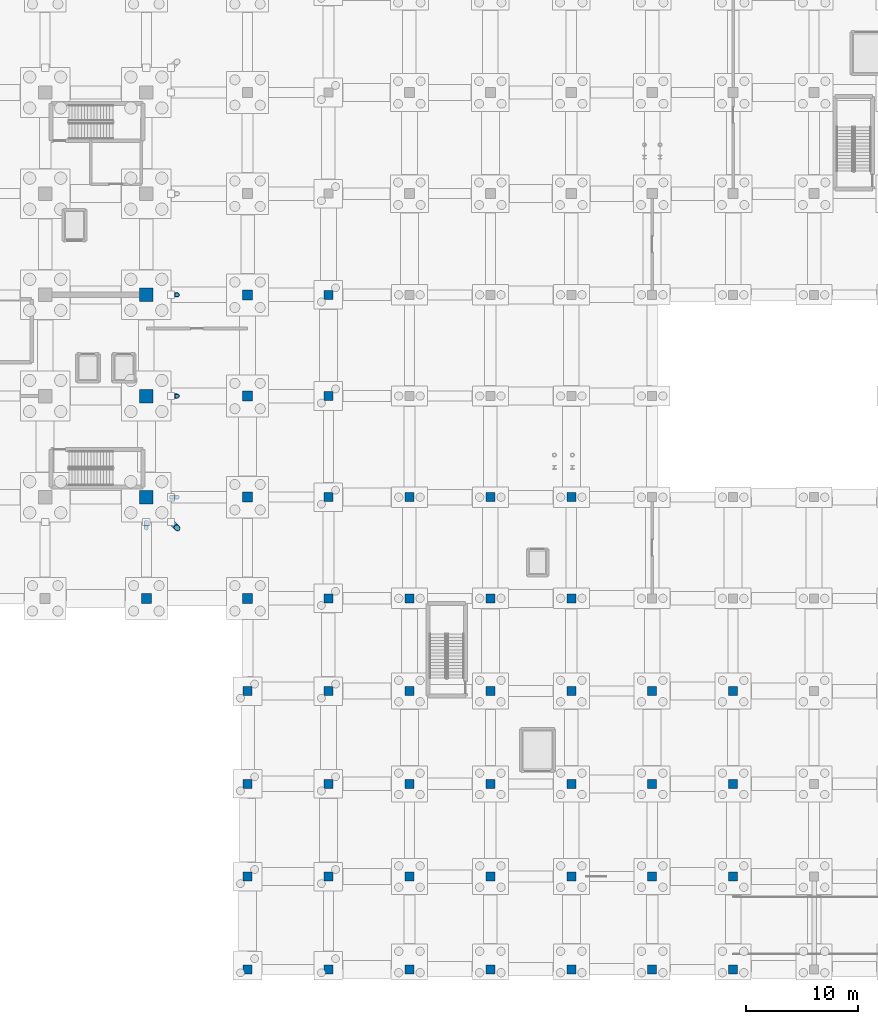
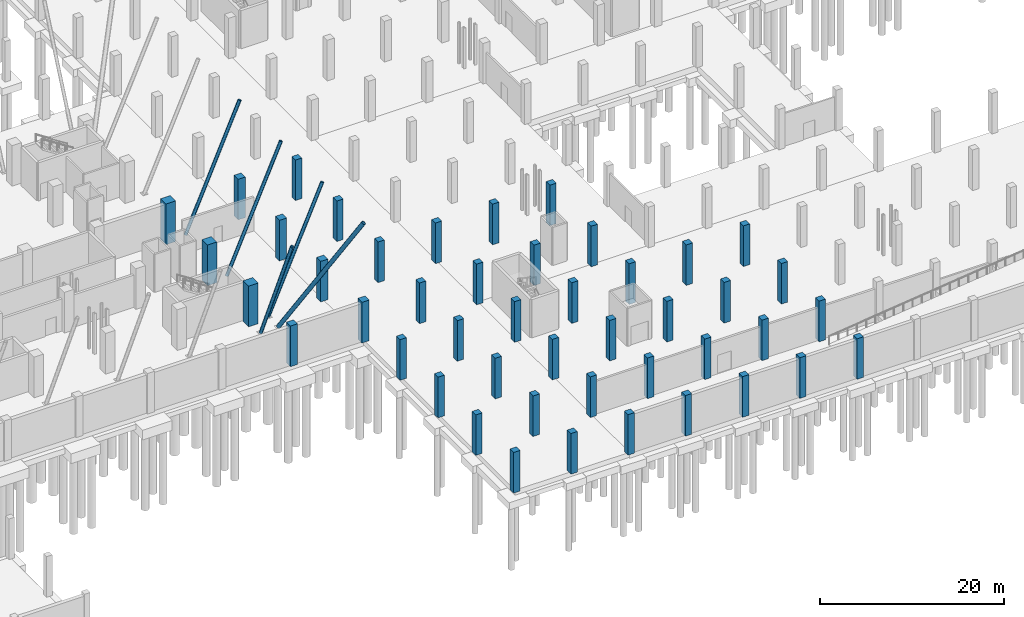
# One storey, part 14 of 42: 51 columns.
"""IFC4 building model written with IfcOpenShell, lengths in metres."""

import ifcopenshell
import ifcopenshell.guid

model = None  # the IFC model being written
_history = None  # IfcOwnerHistory: only IFC2X3 demands one
_inside = {}  # id of a spatial element -> (the spatial element, [elements in it])
_under = {}  # id of a project, library or spatial element -> (it, [spatial elements below it])
_declared = {}  # id of a project -> (the project, [libraries it declares])
_typed = {}  # id of a type object -> (the type object, [elements of that type])
_made_of = {}  # id of a material, layer set ... -> (it, [elements and type objects made of it])


def new_model(schema):
    """Start an empty IFC model of exactly this schema.

    Asked for "IFC4X3", IfcOpenShell would pick the latest addendum, in which some entities
    have other attributes; the version numbers below select the first issue.
    IFC2X3 requires an IfcOwnerHistory on every rooted entity: one is made here for all.
    """
    global model, _history
    if schema == "IFC4X3":
        model = ifcopenshell.file(schema_version=(4, 3, 0, 0))
    else:
        model = ifcopenshell.file(schema=schema)
    _inside.clear()
    _under.clear()
    _declared.clear()
    _typed.clear()
    _made_of.clear()
    _history = None
    if model.schema == "IFC2X3":
        org = make("IfcOrganization", Name="unknown")
        user = make(
            "IfcPersonAndOrganization",
            ThePerson=make("IfcPerson", FamilyName="unknown"),
            TheOrganization=org,
        )
        app = make(
            "IfcApplication",
            ApplicationDeveloper=org,
            Version="unknown",
            ApplicationFullName="unknown",
            ApplicationIdentifier="unknown",
        )
        _history = make(
            "IfcOwnerHistory",
            OwningUser=user,
            OwningApplication=app,
            ChangeAction="ADDED",
            CreationDate=0,
        )
    return model


def make(cls, **values):
    """One entity of the class cls with the attributes given. An attribute that is None is left unset."""
    return model.create_entity(
        cls, **{name: value for name, value in values.items() if value is not None}
    )


def rooted(cls, **values):
    """An entity with a GlobalId (a new one), such as an element, a storey or a relation."""
    return make(cls, GlobalId=ifcopenshell.guid.new(), OwnerHistory=_history, **values)


def si_unit(unit_type, name, prefix=None):
    """IfcSIUnit, for example si_unit("LENGTHUNIT", "METRE", prefix="MILLI")."""
    return make("IfcSIUnit", UnitType=unit_type, Prefix=prefix, Name=name)


def assignment(units):
    """IfcUnitAssignment: the units of a project."""
    return None if units is None else make("IfcUnitAssignment", Units=units)


def point(xyz):
    """IfcCartesianPoint."""
    return None if xyz is None else make("IfcCartesianPoint", Coordinates=xyz)


def direction(xyz):
    """IfcDirection."""
    return None if xyz is None else make("IfcDirection", DirectionRatios=xyz)


def frame(location, z_axis=None, x_axis=None):
    """IfcAxis2Placement3D, a coordinate frame: its origin and axes. An axis left out is left unset."""
    return make(
        "IfcAxis2Placement3D",
        Location=point(location),
        Axis=direction(z_axis),
        RefDirection=direction(x_axis),
    )


def frame_2d(location, x_axis=None):
    """IfcAxis2Placement2D, a coordinate frame in the plane: its origin and x axis."""
    return make(
        "IfcAxis2Placement2D", Location=point(location), RefDirection=direction(x_axis)
    )


def origin():
    """The frame at (0, 0, 0) with its axes left unset."""
    return frame((0.0, 0.0, 0.0))


def origin_2d():
    """The frame at (0, 0) in the plane with its x axis left unset."""
    return frame_2d((0.0, 0.0))


def place(relative_to, where):
    """IfcLocalPlacement: puts the frame where relative to a parent placement (None: the world)."""
    return make(
        "IfcLocalPlacement", PlacementRelTo=relative_to, RelativePlacement=where
    )


def context(
    kind, dimensions, precision=None, world=None, true_north=None, identifier=None
):
    """IfcGeometricRepresentationContext, for example the 3D "Model" context."""
    return make(
        "IfcGeometricRepresentationContext",
        ContextIdentifier=identifier,
        ContextType=kind,
        CoordinateSpaceDimension=dimensions,
        Precision=precision,
        WorldCoordinateSystem=world,
        TrueNorth=true_north,
    )


def subcontext(parent, identifier, kind, view, scale=None):
    """IfcGeometricRepresentationSubContext, for example "Body" below "Model"."""
    return make(
        "IfcGeometricRepresentationSubContext",
        ContextIdentifier=identifier,
        ContextType=kind,
        ParentContext=parent,
        TargetScale=scale,
        TargetView=view,
    )


def project(units=None, contexts=None):
    """IfcProject with its units and contexts."""
    return rooted(
        "IfcProject",
        Name="project",
        RepresentationContexts=contexts,
        UnitsInContext=assignment(units),
    )


def spatial(cls, under=None, at=None, **own):
    """A site, building, storey or space (cls), placed at a placement, below another one or the project."""
    s = rooted(cls, ObjectPlacement=at, **own)
    if under is not None:
        _under.setdefault(under.id(), (under, []))[1].append(s)
    return s


def profile(cls, at=None, kind="AREA", **sizes):
    """A parametric profile (cls). Its sizes go by their IFC names, for example OverallWidth=200.0."""
    return make(cls, ProfileType=kind, Position=at, **sizes)


def rectangle(**sizes):
    """IfcRectangleProfileDef."""
    return profile("IfcRectangleProfileDef", **sizes)


def hollow_circle(**sizes):
    """IfcCircleHollowProfileDef."""
    return profile("IfcCircleHollowProfileDef", **sizes)


def extrude(swept, where, along, depth):
    """IfcExtrudedAreaSolid: the profile swept, set in the frame where, extruded along a direction by depth."""
    return make(
        "IfcExtrudedAreaSolid",
        SweptArea=swept,
        Position=where,
        ExtrudedDirection=direction(along),
        Depth=depth,
    )


def shape(context_of_items, identifier, shape_type, items):
    """IfcShapeRepresentation: the items that make up one representation, for example the "Body"."""
    return make(
        "IfcShapeRepresentation",
        ContextOfItems=context_of_items,
        RepresentationIdentifier=identifier,
        RepresentationType=shape_type,
        Items=items,
    )


def material(Name=None, Category=None):
    """IfcMaterial."""
    return make("IfcMaterial", Name=Name, Category=Category)


def material_profile(
    of_material, cross_section, Name=None, Category=None, Priority=None
):
    """IfcMaterialProfile: a cross section and its material."""
    return make(
        "IfcMaterialProfile",
        Name=Name,
        Material=of_material,
        Profile=cross_section,
        Priority=Priority,
        Category=Category,
    )


def profile_set(profiles, Name=None, composite=None):
    """IfcMaterialProfileSet."""
    return make(
        "IfcMaterialProfileSet",
        Name=Name,
        MaterialProfiles=profiles,
        CompositeProfile=composite,
    )


def made_of(thing, what):
    """Note that an element or type object is made of a material, layer set ...; save() writes the relation."""
    if what is not None:
        _made_of.setdefault(what.id(), (what, []))[1].append(thing)
    return thing


def type_object(cls, material=None, **own):
    """A type object (cls), such as IfcWallType, which elements share."""
    return made_of(rooted(cls, **own), material)


def element(
    cls,
    number,
    at=None,
    inside=None,
    cuts=None,
    type_object=None,
    material=None,
    context=None,
    identifier="Body",
    shape_type=None,
    held_by="IfcProductDefinitionShape",
    body=None,
    shapes=None,
    **own,
):
    """One element of the class cls, such as IfcWall. Its Tag is "e" and its number.

    at: its placement. inside: the storey or other place that contains it. cuts: it is an
    opening in that element (IfcRelVoidsElement). A single representation is given by context,
    identifier, shape_type and body (its items); several are given by shapes. held_by: the class
    of the entity that holds the representations. save() writes the other relations.
    """
    e = rooted(cls, Tag="e%d" % number, ObjectPlacement=at, **own)
    if body is not None:
        shapes = [shape(context, identifier, shape_type, body)]
    if shapes is not None:
        e.Representation = make(held_by, Representations=shapes)
    if inside is not None:
        _inside.setdefault(inside.id(), (inside, []))[1].append(e)
    if cuts is not None:
        rooted(
            "IfcRelVoidsElement", RelatingBuildingElement=cuts, RelatedOpeningElement=e
        )
    if type_object is not None:
        _typed.setdefault(type_object.id(), (type_object, []))[1].append(e)
    return made_of(e, material)


def aggregate(whole, parts):
    """IfcRelAggregates: a whole, such as a stair, and the parts it consists of."""
    return rooted("IfcRelAggregates", RelatingObject=whole, RelatedObjects=parts)


def save(model, path):
    """Write the relations noted so far, then the file.

    IfcRelAggregates (storeys below a building ...), IfcRelContainedInSpatialStructure (elements
    in a storey), IfcRelDefinesByType, IfcRelAssociatesMaterial and IfcRelDeclares: one each for
    every whole, place, type object, material and project.
    """
    for whole, parts in _under.values():
        aggregate(whole, parts)
    for where, things in _inside.values():
        rooted(
            "IfcRelContainedInSpatialStructure",
            RelatedElements=things,
            RelatingStructure=where,
        )
    for kind, things in _typed.values():
        rooted("IfcRelDefinesByType", RelatedObjects=things, RelatingType=kind)
    for what, things in _made_of.values():
        rooted("IfcRelAssociatesMaterial", RelatedObjects=things, RelatingMaterial=what)
    for by, libraries in _declared.values():
        rooted("IfcRelDeclares", RelatingContext=by, RelatedDefinitions=libraries)
    model.write(path)


model = new_model("IFC4")

# Units and contexts
model_context = context("Model", 3, precision=1e-05, world=origin(), true_north=direction((0.0, 1.0)))
body_context = subcontext(model_context, "Body", "Model", "MODEL_VIEW")
ifc_project = project(units=[si_unit("LENGTHUNIT", "METRE"), si_unit("AREAUNIT", "SQUARE_METRE"), si_unit("VOLUMEUNIT", "CUBIC_METRE"), si_unit("PLANEANGLEUNIT", "RADIAN"), si_unit("MASSUNIT", "GRAM", prefix="KILO")], contexts=[model_context])

# Site, building, storey
site_placement = place(None, origin())
site = spatial("IfcSite", under=ifc_project, at=site_placement, CompositionType="ELEMENT")
building_placement = place(site_placement, origin())
building = spatial("IfcBuilding", under=site, at=building_placement, Name="Sundgate Opera House", CompositionType="ELEMENT")
storey_placement = place(building_placement, frame((0.0, 0.0, -5.39990234375)))
storey = spatial("IfcBuildingStorey", under=building, at=storey_placement, Name="B01", CompositionType="ELEMENT", Elevation=-5.39990234375)

# Columns
ifc_material_1 = material(Name="Steel S355ML", Category="steel")
ifc_material_profile_1 = material_profile(ifc_material_1, hollow_circle(Radius=0.203125, WallThickness=0.02001953125, at=origin_2d()), Name="CHS 406.4x20.0")
ifc_profile_set_1 = profile_set([ifc_material_profile_1], Name="Steel S355ML")
column_type_1 = type_object("IfcColumnType", Name="CL-CHS-406", PredefinedType="COLUMN", material=ifc_profile_set_1)
for number, where, z_axis, x_axis, name in (
    (1, (72.0, 39.800048828125, 0.0), (0.0, -0.400670920662, 0.916222032772), (1.0, 0.0, 0.0), "Cantilever Raking Column C1268"),
    (2, (74.199951171875, 42.0, 0.0), (0.400670920662, 0.0, 0.916222032772), (0.0, 1.0, 0.0), "Cantilever Raking Column C1279"),
    (3, (74.199951171875, 51.0, 0.0), (0.400670920662, 0.0, 0.916222032772), (0.0, 1.0, 0.0), "Cantilever Raking Column C1280"),
    (4, (74.199951171875, 60.0, 0.0), (0.400670920662, 0.0, 0.916222032772), (0.0, 1.0, 0.0), "Cantilever Raking Column C1281"),
):
    element("IfcColumn", number, at=place(storey_placement, frame(where, z_axis=z_axis, x_axis=x_axis)), inside=storey, type_object=column_type_1, Name=name, PredefinedType="COLUMN", context=body_context, shape_type="SweptSolid", body=[
        extrude(hollow_circle(Radius=0.203125, WallThickness=0.02001953125, at=origin_2d()), origin(), (0.0, 0.0, 1.0), 16.9716796875),
    ])
ifc_material_2 = material(Name="Steel S355ML", Category="steel")
ifc_material_profile_2 = material_profile(ifc_material_2, hollow_circle(Radius=0.25390625, WallThickness=0.02490234375, at=origin_2d()), Name="CHS 508x25.0")
ifc_profile_set_2 = profile_set([ifc_material_profile_2], Name="Steel S355ML")
column_type_2 = type_object("IfcColumnType", Name="CL-CHS-508", PredefinedType="COLUMN", material=ifc_profile_set_2)
column_placement = place(storey_placement, frame((74.199951171875, 39.800048828125, 0.0), z_axis=(0.371927502201, -0.371927502201, 0.850493895459), x_axis=(0.707106781187, 0.707106781187, 0.0)))
element("IfcColumn", 5, at=column_placement, inside=storey, type_object=column_type_2, Name="Cantilever Raking Column C1285", PredefinedType="COLUMN", context=body_context, shape_type="SweptSolid", body=[
    extrude(hollow_circle(Radius=0.25390625, WallThickness=0.02490234375, at=origin_2d()), origin(), (0.0, 0.0, 1.0), 18.283203125),
])
ifc_material_3 = material(Name="Concrete C45/55", Category="concrete")
ifc_material_profile_3 = material_profile(ifc_material_3, rectangle(XDim=1.199951171875, YDim=1.199951171875, at=origin_2d()), Name="RC 1200x1200")
ifc_profile_set_3 = profile_set([ifc_material_profile_3], Name="Concrete C45/55")
column_type_3 = type_object("IfcColumnType", Name="CL-RC-1200", PredefinedType="COLUMN", material=ifc_profile_set_3)
for number, where, z_axis, x_axis, name in (
    (6, (72.0, 42.0, 0.0), (0.0, 0.0, 1.0), (1.0, 0.0, 0.0), "B01 Column C0461"),
    (7, (72.0, 51.0, 0.0), (0.0, 0.0, 1.0), (1.0, 0.0, 0.0), "B01 Column C0468"),
    (8, (72.0, 60.0, 0.0), (0.0, 0.0, 1.0), (1.0, 0.0, 0.0), "B01 Column C0475"),
):
    element("IfcColumn", number, at=place(storey_placement, frame(where, z_axis=z_axis, x_axis=x_axis)), inside=storey, type_object=column_type_3, Name=name, PredefinedType="COLUMN", context=body_context, shape_type="SweptSolid", body=[
        extrude(rectangle(XDim=1.199951171875, YDim=1.199951171875, at=origin_2d()), origin(), (0.0, 0.0, 1.0), 5.39990234375),
    ])
ifc_material_4 = material(Name="Concrete C40/50", Category="concrete")
ifc_material_profile_4 = material_profile(ifc_material_4, rectangle(XDim=0.800048828125, YDim=0.800048828125, at=origin_2d()), Name="RC 800x800")
ifc_profile_set_4 = profile_set([ifc_material_profile_4], Name="Concrete C40/50")
column_type_4 = type_object("IfcColumnType", Name="CL-RC-800", PredefinedType="COLUMN", material=ifc_profile_set_4)
for number, where, z_axis, x_axis, name in (
    (9, (81.0, 0.0, 0.0), (0.0, 0.0, 1.0), (1.0, 0.0, 0.0), "B01 Column C0517"),
    (10, (81.0, 8.25, 0.0), (0.0, 0.0, 1.0), (1.0, 0.0, 0.0), "B01 Column C0520"),
    (11, (81.0, 16.5, 0.0), (0.0, 0.0, 1.0), (1.0, 0.0, 0.0), "B01 Column C0523"),
    (12, (81.0, 24.75, 0.0), (0.0, 0.0, 1.0), (1.0, 0.0, 0.0), "B01 Column C0526"),
    (13, (88.199951171875, 0.0, 0.0), (0.0, 0.0, 1.0), (1.0, 0.0, 0.0), "B01 Column C0580"),
    (14, (88.199951171875, 8.25, 0.0), (0.0, 0.0, 1.0), (1.0, 0.0, 0.0), "B01 Column C0583"),
    (15, (88.199951171875, 16.5, 0.0), (0.0, 0.0, 1.0), (1.0, 0.0, 0.0), "B01 Column C0586"),
    (16, (88.199951171875, 24.75, 0.0), (0.0, 0.0, 1.0), (1.0, 0.0, 0.0), "B01 Column C0589"),
    (17, (88.199951171875, 33.0, 0.0), (0.0, 0.0, 1.0), (1.0, 0.0, 0.0), "B01 Column C0592"),
    (18, (88.199951171875, 42.0, 0.0), (0.0, 0.0, 1.0), (1.0, 0.0, 0.0), "B01 Column C0595"),
    (19, (88.199951171875, 51.0, 0.0), (0.0, 0.0, 1.0), (1.0, 0.0, 0.0), "B01 Column C0598"),
    (20, (88.199951171875, 60.0, 0.0), (0.0, 0.0, 1.0), (1.0, 0.0, 0.0), "B01 Column C0601"),
    (21, (95.39990234375, 0.0, 0.0), (0.0, 0.0, 1.0), (1.0, 0.0, 0.0), "B01 Column C0625"),
    (22, (95.39990234375, 8.25, 0.0), (0.0, 0.0, 1.0), (1.0, 0.0, 0.0), "B01 Column C0628"),
    (23, (95.39990234375, 16.5, 0.0), (0.0, 0.0, 1.0), (1.0, 0.0, 0.0), "B01 Column C0632"),
    (24, (95.39990234375, 24.75, 0.0), (0.0, 0.0, 1.0), (1.0, 0.0, 0.0), "B01 Column C0636"),
    (25, (95.39990234375, 33.0, 0.0), (0.0, 0.0, 1.0), (1.0, 0.0, 0.0), "B01 Column C0640"),
    (26, (95.39990234375, 42.0, 0.0), (0.0, 0.0, 1.0), (1.0, 0.0, 0.0), "B01 Column C0644"),
    (27, (102.60009765625, 0.0, 0.0), (0.0, 0.0, 1.0), (1.0, 0.0, 0.0), "B01 Column C0693"),
    (28, (102.60009765625, 8.25, 0.0), (0.0, 0.0, 1.0), (1.0, 0.0, 0.0), "B01 Column C0695"),
    (29, (102.60009765625, 16.5, 0.0), (0.0, 0.0, 1.0), (1.0, 0.0, 0.0), "B01 Column C0699"),
    (30, (102.60009765625, 24.75, 0.0), (0.0, 0.0, 1.0), (1.0, 0.0, 0.0), "B01 Column C0703"),
    (31, (102.60009765625, 33.0, 0.0), (0.0, 0.0, 1.0), (1.0, 0.0, 0.0), "B01 Column C0707"),
    (32, (102.60009765625, 42.0, 0.0), (0.0, 0.0, 1.0), (1.0, 0.0, 0.0), "B01 Column C0711"),
    (33, (109.800048828125, 0.0, 0.0), (0.0, 0.0, 1.0), (1.0, 0.0, 0.0), "B01 Column C0757"),
    (34, (109.800048828125, 8.25, 0.0), (0.0, 0.0, 1.0), (1.0, 0.0, 0.0), "B01 Column C0759"),
    (35, (109.800048828125, 16.5, 0.0), (0.0, 0.0, 1.0), (1.0, 0.0, 0.0), "B01 Column C0763"),
    (36, (109.800048828125, 24.75, 0.0), (0.0, 0.0, 1.0), (1.0, 0.0, 0.0), "B01 Column C0767"),
    (37, (109.800048828125, 33.0, 0.0), (0.0, 0.0, 1.0), (1.0, 0.0, 0.0), "B01 Column C0771"),
    (38, (109.800048828125, 42.0, 0.0), (0.0, 0.0, 1.0), (1.0, 0.0, 0.0), "B01 Column C0775"),
    (39, (117.0, 0.0, 0.0), (0.0, 0.0, 1.0), (1.0, 0.0, 0.0), "B01 Column C0818"),
    (40, (117.0, 8.25, 0.0), (0.0, 0.0, 1.0), (1.0, 0.0, 0.0), "B01 Column C0820"),
    (41, (117.0, 16.5, 0.0), (0.0, 0.0, 1.0), (1.0, 0.0, 0.0), "B01 Column C0824"),
    (42, (117.0, 24.75, 0.0), (0.0, 0.0, 1.0), (1.0, 0.0, 0.0), "B01 Column C0828"),
    (43, (124.199951171875, 0.0, 0.0), (0.0, 0.0, 1.0), (1.0, 0.0, 0.0), "B01 Column C0882"),
    (44, (124.199951171875, 8.25, 0.0), (0.0, 0.0, 1.0), (1.0, 0.0, 0.0), "B01 Column C0884"),
    (45, (124.199951171875, 16.5, 0.0), (0.0, 0.0, 1.0), (1.0, 0.0, 0.0), "B01 Column C0888"),
    (46, (124.199951171875, 24.75, 0.0), (0.0, 0.0, 1.0), (1.0, 0.0, 0.0), "B01 Column C0892"),
):
    element("IfcColumn", number, at=place(storey_placement, frame(where, z_axis=z_axis, x_axis=x_axis)), inside=storey, type_object=column_type_4, Name=name, PredefinedType="COLUMN", context=body_context, shape_type="SweptSolid", body=[
        extrude(rectangle(XDim=0.800048828125, YDim=0.800048828125, at=origin_2d()), origin(), (0.0, 0.0, 1.0), 5.39990234375),
    ])
ifc_material_5 = material(Name="Concrete C40/50", Category="concrete")
ifc_material_profile_5 = material_profile(ifc_material_5, rectangle(XDim=0.89990234375, YDim=0.89990234375, at=origin_2d()), Name="RC 900x900")
ifc_profile_set_5 = profile_set([ifc_material_profile_5], Name="Concrete C40/50")
column_type_5 = type_object("IfcColumnType", Name="CL-RC-900", PredefinedType="COLUMN", material=ifc_profile_set_5)
for number, where, z_axis, x_axis, name in (
    (47, (72.0, 33.0, 0.0), (0.0, 0.0, 1.0), (1.0, 0.0, 0.0), "B01 Column C0456"),
    (48, (81.0, 33.0, 0.0), (0.0, 0.0, 1.0), (1.0, 0.0, 0.0), "B01 Column C0529"),
    (49, (81.0, 42.0, 0.0), (0.0, 0.0, 1.0), (1.0, 0.0, 0.0), "B01 Column C0534"),
    (50, (81.0, 51.0, 0.0), (0.0, 0.0, 1.0), (1.0, 0.0, 0.0), "B01 Column C0539"),
    (51, (81.0, 60.0, 0.0), (0.0, 0.0, 1.0), (1.0, 0.0, 0.0), "B01 Column C0544"),
):
    element("IfcColumn", number, at=place(storey_placement, frame(where, z_axis=z_axis, x_axis=x_axis)), inside=storey, type_object=column_type_5, Name=name, PredefinedType="COLUMN", context=body_context, shape_type="SweptSolid", body=[
        extrude(rectangle(XDim=0.89990234375, YDim=0.89990234375, at=origin_2d()), origin(), (0.0, 0.0, 1.0), 5.39990234375),
    ])

save(model, "model.ifc")
